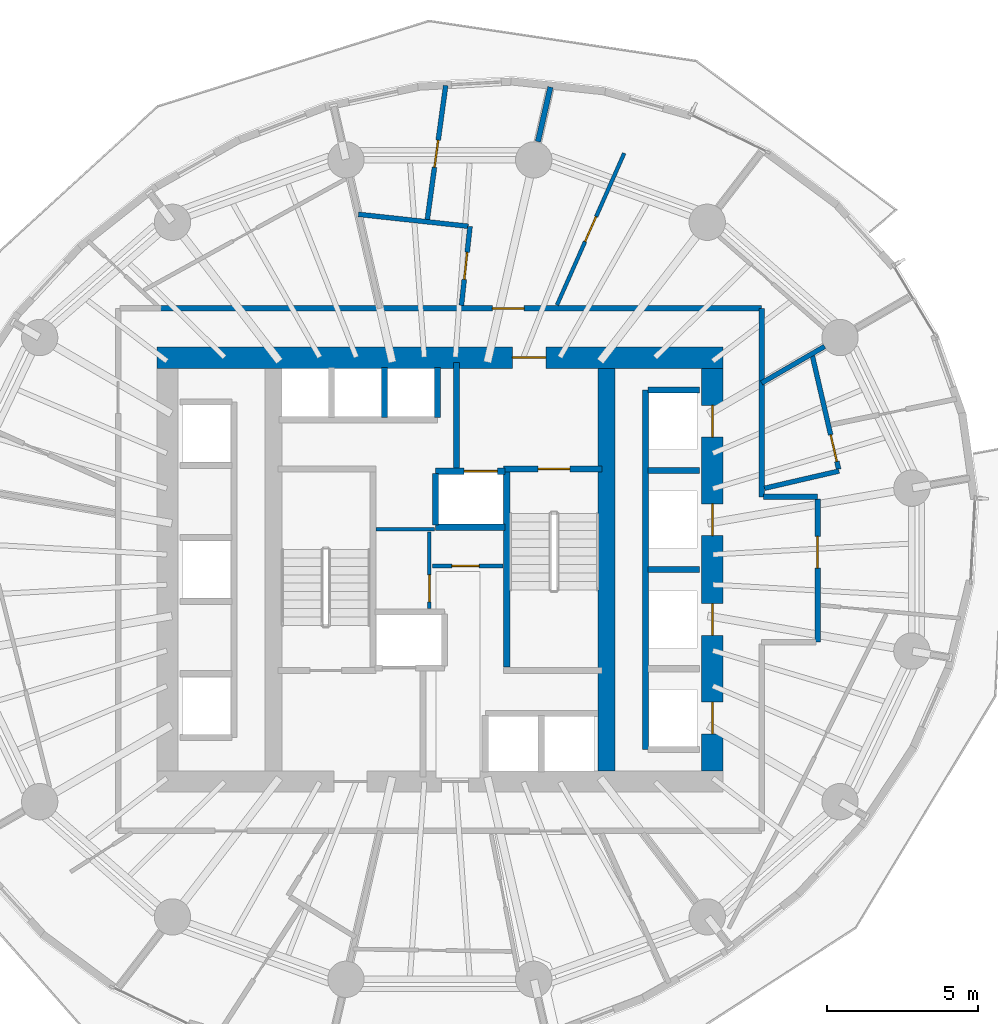
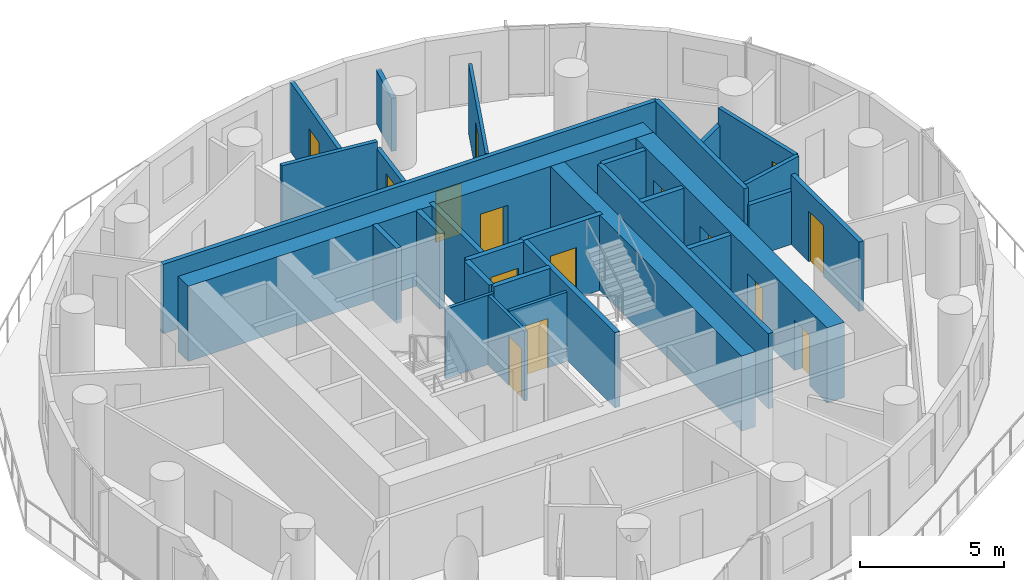
# One storey, part 9 of 15: 30 walls, 15 doors, 15 openings.
"""IFC4 building model written with IfcOpenShell, lengths in metres."""

from ifc_helpers import new_model, si_unit, direction, frame, frame_2d, origin, place, context, subcontext, project, spatial, rectangle, extrude, material, layer, layer_set, type_object, element, fill, save


model = new_model("IFC4")

# Units and contexts
model_context = context("Model", 3, precision=1e-05, world=origin(), true_north=direction((0.0, 1.0)))
body_context = subcontext(model_context, "Body", "Model", "MODEL_VIEW")
ifc_project = project(units=[si_unit("LENGTHUNIT", "METRE"), si_unit("AREAUNIT", "SQUARE_METRE"), si_unit("VOLUMEUNIT", "CUBIC_METRE"), si_unit("PLANEANGLEUNIT", "RADIAN"), si_unit("MASSUNIT", "GRAM", prefix="KILO")], contexts=[model_context])

# Site, building, storey
site_placement = place(None, origin())
site = spatial("IfcSite", under=ifc_project, at=site_placement, CompositionType="ELEMENT")
building_placement = place(site_placement, origin())
building = spatial("IfcBuilding", under=site, at=building_placement, Name="Veldorim Arch Residences", CompositionType="ELEMENT")
storey_placement = place(building_placement, frame((0.0, 0.0, 102.8798828125)))
storey = spatial("IfcBuildingStorey", under=building, at=storey_placement, Name="L30", CompositionType="ELEMENT", Elevation=102.8798828125)

# Wall, opening, door
ifc_material_1 = material(Name="Acoustic Gypsum Board", Category="gypsum")
ifc_layer_1 = layer(ifc_material_1, 0.125, Name="Acoustic Stud Room Partition Wall 125")
ifc_layer_set_1 = layer_set([ifc_layer_1], Name="Acoustic Gypsum Board")
wall_type_1 = type_object("IfcWallType", Name="Acoustic Stud Room Partition Wall 125", PredefinedType="PARTITIONING", material=ifc_layer_set_1)
wall_1_placement = place(storey_placement, frame((31.64990234375, 22.719970703125, 0.0), z_axis=(0.0, 0.0, 1.0), x_axis=(0.0, 1.0, 0.0)))
wall_1 = element("IfcWall", 1, at=wall_1_placement, inside=storey, type_object=wall_type_1, Name="L30 interior wall WL-CA-L30-1", PredefinedType="PARTITIONING", context=body_context, shape_type="SweptSolid", body=[
    extrude(rectangle(XDim=2.52001953125, YDim=0.125, at=frame_2d((1.260009765625, 0.0))), origin(), (0.0, 0.0, 1.0), 2.955078125),
])
opening_1_placement = place(wall_1_placement, frame((0.2099609375, 0.0, 0.0)))
opening_1 = element("IfcOpeningElement", 2, at=opening_1_placement, cuts=wall_1, Name="Opening DR-SVC", PredefinedType="OPENING", context=body_context, shape_type="SweptSolid", body=[
    extrude(rectangle(XDim=0.89990234375, YDim=2.10009765625, at=frame_2d((0.449951171875, 1.050048828125))), frame((0.0, 0.072509765625, 0.0), z_axis=(0.0, -1.0, 0.0), x_axis=(1.0, 0.0, 0.0)), (0.0, 0.0, 1.0), 0.14501953125),
])
ifc_material_2 = material(Name="Fire-Rated Steel", Category="steel")
door_type_1 = type_object("IfcDoorType", Name="Riser, Shelter & Plant Room Rated Steel Door 900x2100", OperationType="SINGLE_SWING_LEFT", PredefinedType="DOOR", material=ifc_material_2)
door_1_placement = place(opening_1_placement, origin())
door_1 = element("IfcDoor", 3, at=door_1_placement, inside=storey, type_object=door_type_1, Name="L30 interior door DR-L30-CA1", OperationType="SINGLE_SWING_LEFT", OverallHeight=2.10009765625, OverallWidth=0.89990234375, PredefinedType="DOOR", context=body_context, shape_type="SweptSolid", body=[
    extrude(rectangle(XDim=0.89990234375, YDim=2.10009765625, at=frame_2d((0.449951171875, 1.050048828125))), frame((0.0, 0.02490234375, 0.0), z_axis=(0.0, -1.0, 0.0), x_axis=(1.0, 0.0, 0.0)), (0.0, 0.0, 1.0), 0.050048828125),
])
fill(opening_1, door_1)

wall_2_placement = place(storey_placement, frame((31.760009765625, 24.1201171875, 0.0), z_axis=(0.0, 0.0, 1.0), x_axis=(1.0, 0.0, 0.0)))
wall_2 = element("IfcWall", 4, at=wall_2_placement, inside=storey, type_object=wall_type_1, Name="L30 interior wall WL-CA-L30-2", PredefinedType="PARTITIONING", context=body_context, shape_type="SweptSolid", body=[
    extrude(rectangle(XDim=2.320068359375, YDim=0.125, at=frame_2d((1.16015625, 0.0))), origin(), (0.0, 0.0, 1.0), 2.955078125),
])
opening_2_placement = place(wall_2_placement, frame((0.639892578125, 0.0, 0.0)))
opening_2 = element("IfcOpeningElement", 5, at=opening_2_placement, cuts=wall_2, Name="Opening DR-SVC", PredefinedType="OPENING", context=body_context, shape_type="SweptSolid", body=[
    extrude(rectangle(XDim=0.89990234375, YDim=2.10009765625, at=frame_2d((0.449951171875, 1.050048828125))), frame((0.0, 0.072509765625, 0.0), z_axis=(0.0, -1.0, 0.0), x_axis=(1.0, 0.0, 0.0)), (0.0, 0.0, 1.0), 0.14501953125),
])
door_2_placement = place(opening_2_placement, origin())
door_2 = element("IfcDoor", 6, at=door_2_placement, inside=storey, type_object=door_type_1, Name="L30 interior door DR-L30-CA2", OperationType="SINGLE_SWING_RIGHT", OverallHeight=2.10009765625, OverallWidth=0.89990234375, PredefinedType="DOOR", context=body_context, shape_type="SweptSolid", body=[
    extrude(rectangle(XDim=0.89990234375, YDim=2.10009765625, at=frame_2d((0.449951171875, 1.050048828125))), frame((0.0, 0.02490234375, 0.0), z_axis=(0.0, -1.0, 0.0), x_axis=(1.0, 0.0, 0.0)), (0.0, 0.0, 1.0), 0.050048828125),
])
fill(opening_2, door_2)

# Wall
wall_3_placement = place(storey_placement, frame((29.889892578125, 25.330078125, 0.0), z_axis=(0.0, 0.0, 1.0), x_axis=(1.0, 0.0, 0.0)))
element("IfcWall", 7, at=wall_3_placement, inside=storey, type_object=wall_type_1, Name="L30 interior wall WL-CA-L30-N", PredefinedType="PARTITIONING", context=body_context, shape_type="SweptSolid", body=[
    extrude(rectangle(XDim=1.940185546875, YDim=0.125, at=frame_2d((0.97021484375, 0.0))), origin(), (0.0, 0.0, 1.0), 2.955078125),
])

# Wall, opening, door
wall_4_placement = place(storey_placement, frame((38.091064453125, 37.756103515625, 0.0), z_axis=(0.0, 0.0, 1.0), x_axis=(-0.404874602407, -0.914372219791, 0.0)))
wall_4 = element("IfcWall", 8, at=wall_4_placement, inside=storey, type_object=wall_type_1, Name="L30 interior wall WL-RES-L30-023", PredefinedType="PARTITIONING", context=body_context, shape_type="SweptSolid", body=[
    extrude(rectangle(XDim=5.486083984375, YDim=0.125, at=frame_2d((2.7431640625, 0.0))), origin(), (0.0, 0.0, 1.0), 2.955078125),
])
opening_3_placement = place(wall_4_placement, frame((2.29296875, 0.0, 0.0)))
opening_3 = element("IfcOpeningElement", 9, at=opening_3_placement, cuts=wall_4, Name="Opening DR-INT", PredefinedType="OPENING", context=body_context, shape_type="SweptSolid", body=[
    extrude(rectangle(XDim=0.89990234375, YDim=2.10009765625, at=frame_2d((0.449951171875, 1.050048828125))), frame((0.0, 0.072509765625, 0.0), z_axis=(0.0, -1.0, 0.0), x_axis=(1.0, 0.0, 0.0)), (0.0, 0.0, 1.0), 0.14501953125),
])
ifc_material_3 = material(Name="Engineered Timber", Category="wood")
door_type_2 = type_object("IfcDoorType", Name="Apartment Internal Room Timber Door 900x2100", OperationType="SINGLE_SWING_LEFT", PredefinedType="DOOR", material=ifc_material_3)
door_3_placement = place(opening_3_placement, origin())
door_3 = element("IfcDoor", 10, at=door_3_placement, inside=storey, type_object=door_type_2, Name="L30 interior door DR-RES-L30-012", OperationType="SINGLE_SWING_RIGHT", OverallHeight=2.10009765625, OverallWidth=0.89990234375, PredefinedType="DOOR", context=body_context, shape_type="SweptSolid", body=[
    extrude(rectangle(XDim=0.89990234375, YDim=2.10009765625, at=frame_2d((0.449951171875, 1.050048828125))), frame((0.0, 0.02490234375, 0.0), z_axis=(0.0, -1.0, 0.0), x_axis=(1.0, 0.0, 0.0)), (0.0, 0.0, 1.0), 0.050048828125),
])
fill(opening_3, door_3)

# Walls
ifc_material_4 = material(Name="Lightweight Masonry Block & Gypsum", Category="masonry")
ifc_layer_2 = layer(ifc_material_4, 0.179931640625, Name="Compartment & Corridor Fire-Rated Party Wall 180")
ifc_layer_set_2 = layer_set([ifc_layer_2], Name="Lightweight Masonry Block & Gypsum")
wall_type_2 = type_object("IfcWallType", Name="Compartment & Corridor Fire-Rated Party Wall 180", PredefinedType="PARTITIONING", material=ifc_layer_set_2)
wall_5_placement = place(storey_placement, frame((35.240478515625, 38.13916015625, 0.0), z_axis=(0.0, 0.0, 1.0), x_axis=(0.2234127464, 0.974723932581, 0.0)))
element("IfcWall", 11, at=wall_5_placement, inside=storey, type_object=wall_type_2, Name="L30 interior wall WL-PIER-L30-04", PredefinedType="PARTITIONING", context=body_context, shape_type="SweptSolid", body=[
    extrude(rectangle(XDim=1.848876953125, YDim=0.179931640625, at=frame_2d((0.92431640625, 0.0))), origin(), (0.0, 0.0, 1.0), 2.2607421875),
])
wall_6_placement = place(storey_placement, frame((42.6298828125, 32.6298828125, 0.0), z_axis=(0.0, 0.0, 1.0), x_axis=(0.0, -1.0, 0.0)))
element("IfcWall", 12, at=wall_6_placement, inside=storey, type_object=wall_type_2, Name="L30 interior wall WL-RES-L30-002", PredefinedType="PARTITIONING", context=body_context, shape_type="SweptSolid", body=[
    extrude(rectangle(XDim=6.22998046875, YDim=0.179931640625, at=frame_2d((3.114990234375, 0.0))), origin(), (0.0, 0.0, 1.0), 2.955078125),
])
wall_7_placement = place(storey_placement, frame((42.68994140625, 26.39990234375, 0.0), z_axis=(0.0, 0.0, 1.0), x_axis=(1.0, 0.0, 0.0)))
element("IfcWall", 13, at=wall_7_placement, inside=storey, type_object=wall_type_2, Name="L30 interior wall WL-RES-L30-003", PredefinedType="PARTITIONING", context=body_context, shape_type="SweptSolid", body=[
    extrude(rectangle(XDim=1.7900390625, YDim=0.179931640625, at=frame_2d((0.89501953125, 0.0))), origin(), (0.0, 0.0, 1.0), 2.2607421875),
])

# Wall, opening, door
wall_8_placement = place(storey_placement, frame((44.47998046875, 26.340087890625, 0.0), z_axis=(0.0, 0.0, 1.0), x_axis=(0.0, -1.0, 0.0)))
wall_8 = element("IfcWall", 14, at=wall_8_placement, inside=storey, type_object=wall_type_2, Name="L30 interior wall WL-RES-L30-004", PredefinedType="PARTITIONING", context=body_context, shape_type="SweptSolid", body=[
    extrude(rectangle(XDim=4.739990234375, YDim=0.179931640625, at=frame_2d((2.3701171875, 0.0))), origin(), (0.0, 0.0, 1.0), 2.955078125),
])
opening_4_placement = place(wall_8_placement, frame((1.238525390625, 0.0, 0.0)))
opening_4 = element("IfcOpeningElement", 15, at=opening_4_placement, cuts=wall_8, Name="Opening DR-FLT", PredefinedType="OPENING", context=body_context, shape_type="SweptSolid", body=[
    extrude(rectangle(XDim=1.050048828125, YDim=2.14990234375, at=frame_2d((0.52490234375, 1.074951171875))), frame((0.0, 0.099853515625, 0.0), z_axis=(0.0, -1.0, 0.0), x_axis=(1.0, 0.0, 0.0)), (0.0, 0.0, 1.0), 0.199951171875),
])
ifc_material_5 = material(Name="Fire-Rated Timber", Category="wood")
door_type_3 = type_object("IfcDoorType", Name="Apartment Entrance Solid-Core Fire Door 1050x2150", OperationType="SINGLE_SWING_LEFT", PredefinedType="DOOR", material=ifc_material_5)
door_4_placement = place(opening_4_placement, origin())
door_4 = element("IfcDoor", 16, at=door_4_placement, inside=storey, type_object=door_type_3, Name="L30 interior door DR-RES-L30-005", OperationType="SINGLE_SWING_LEFT", OverallHeight=2.14990234375, OverallWidth=1.050048828125, PredefinedType="DOOR", context=body_context, shape_type="SweptSolid", body=[
    extrude(rectangle(XDim=1.050048828125, YDim=2.14990234375, at=frame_2d((0.52490234375, 1.074951171875))), frame((0.0, 0.02490234375, 0.0), z_axis=(0.0, -1.0, 0.0), x_axis=(1.0, 0.0, 0.0)), (0.0, 0.0, 1.0), 0.050048828125),
])
fill(opening_4, door_4)

wall_9_placement = place(storey_placement, frame((22.73388671875, 32.6298828125, 0.0), z_axis=(0.0, 0.0, 1.0), x_axis=(1.0, 0.0, 0.0)))
wall_9 = element("IfcWall", 17, at=wall_9_placement, inside=storey, type_object=wall_type_2, Name="L30 interior wall WL-RES-L30-007", PredefinedType="PARTITIONING", context=body_context, shape_type="SweptSolid", body=[
    extrude(rectangle(XDim=19.89599609375, YDim=0.179931640625, at=frame_2d((9.947998046875, 0.0))), origin(), (0.0, 0.0, 1.0), 2.955078125),
])
opening_5_placement = place(wall_9_placement, frame((11.004150390625, 0.0, 0.0)))
opening_5 = element("IfcOpeningElement", 18, at=opening_5_placement, cuts=wall_9, Name="Opening DR-FLT", PredefinedType="OPENING", context=body_context, shape_type="SweptSolid", body=[
    extrude(rectangle(XDim=1.050048828125, YDim=2.14990234375, at=frame_2d((0.52490234375, 1.074951171875))), frame((0.0, 0.099853515625, 0.0), z_axis=(0.0, -1.0, 0.0), x_axis=(1.0, 0.0, 0.0)), (0.0, 0.0, 1.0), 0.199951171875),
])
door_5_placement = place(opening_5_placement, origin())
door_5 = element("IfcDoor", 19, at=door_5_placement, inside=storey, type_object=door_type_3, Name="L30 interior door DR-RES-L30-010", OperationType="SINGLE_SWING_RIGHT", OverallHeight=2.14990234375, OverallWidth=1.050048828125, PredefinedType="DOOR", context=body_context, shape_type="SweptSolid", body=[
    extrude(rectangle(XDim=1.050048828125, YDim=2.14990234375, at=frame_2d((0.52490234375, 1.074951171875))), frame((0.0, 0.02490234375, 0.0), z_axis=(0.0, -1.0, 0.0), x_axis=(1.0, 0.0, 0.0)), (0.0, 0.0, 1.0), 0.050048828125),
])
fill(opening_5, door_5)

# Wall
ifc_material_6 = material(Name="Concrete C50/60", Category="concrete")
ifc_layer_3 = layer(ifc_material_6, 0.199951171875, Name="Core Stair & Lift Shaft Enclosure Wall 200")
ifc_layer_set_3 = layer_set([ifc_layer_3], Name="Concrete C50/60")
wall_type_3 = type_object("IfcWallType", Name="Core Stair & Lift Shaft Enclosure Wall 200", PredefinedType="SHEAR", material=ifc_layer_set_3)
wall_10_placement = place(storey_placement, frame((34.2099609375, 20.780029296875, 0.0), z_axis=(0.0, 0.0, 1.0), x_axis=(0.0, 1.0, 0.0)))
element("IfcWall", 20, at=wall_10_placement, inside=storey, type_object=wall_type_3, Name="L30 shaft wall WL-SHF-L30-ST2-W", PredefinedType="SHEAR", context=body_context, shape_type="SweptSolid", body=[
    extrude(rectangle(XDim=6.43994140625, YDim=0.199951171875, at=frame_2d((3.219970703125, 0.0))), origin(), (0.0, 0.0, 1.0), 3.2001953125),
])

# Wall, opening, door
wall_11_placement = place(storey_placement, frame((34.110107421875, 27.330078125, 0.0), z_axis=(0.0, 0.0, 1.0), x_axis=(1.0, 0.0, 0.0)))
wall_11 = element("IfcWall", 21, at=wall_11_placement, inside=storey, type_object=wall_type_3, Name="L30 shaft wall WL-SHF-L30-ST2-N", PredefinedType="SHEAR", context=body_context, shape_type="SweptSolid", body=[
    extrude(rectangle(XDim=3.239990234375, YDim=0.199951171875, at=frame_2d((1.6201171875, 0.0))), origin(), (0.0, 0.0, 1.0), 3.2001953125),
])
opening_6_placement = place(wall_11_placement, frame((1.135009765625, 0.0, 0.0)))
opening_6 = element("IfcOpeningElement", 22, at=opening_6_placement, cuts=wall_11, Name="Opening DR-ST", PredefinedType="OPENING", context=body_context, shape_type="SweptSolid", body=[
    extrude(rectangle(XDim=1.050048828125, YDim=2.14990234375, at=frame_2d((0.52490234375, 1.074951171875))), frame((0.0, 0.10986328125, 0.0), z_axis=(0.0, -1.0, 0.0), x_axis=(1.0, 0.0, 0.0)), (0.0, 0.0, 1.0), 0.219970703125),
])
ifc_material_7 = material(Name="Fire-Rated Steel", Category="steel")
door_type_4 = type_object("IfcDoorType", Name="Exit Staircase Self-Closing Fire Door 1050x2150", OperationType="SINGLE_SWING_LEFT", PredefinedType="DOOR", material=ifc_material_7)
door_6_placement = place(opening_6_placement, origin())
door_6 = element("IfcDoor", 23, at=door_6_placement, inside=storey, type_object=door_type_4, Name="L30 interior door DR-L30-ST2", OperationType="SINGLE_SWING_RIGHT", OverallHeight=2.14990234375, OverallWidth=1.050048828125, PredefinedType="DOOR", context=body_context, shape_type="SweptSolid", body=[
    extrude(rectangle(XDim=1.050048828125, YDim=2.14990234375, at=frame_2d((0.52490234375, 1.074951171875))), frame((0.0, 0.02490234375, 0.0), z_axis=(0.0, -1.0, 0.0), x_axis=(1.0, 0.0, 0.0)), (0.0, 0.0, 1.0), 0.050048828125),
])
fill(opening_6, door_6)

# Wall
wall_12_placement = place(storey_placement, frame((32.550048828125, 27.35009765625, 0.0), z_axis=(0.0, 0.0, 1.0), x_axis=(0.0, 1.0, 0.0)))
element("IfcWall", 24, at=wall_12_placement, inside=storey, type_object=wall_type_3, Name="L30 shaft wall WL-FFL2-L30-W", PredefinedType="SHEAR", context=body_context, shape_type="SweptSolid", body=[
    extrude(rectangle(XDim=3.5, YDim=0.199951171875, at=frame_2d((1.75, 0.0))), origin(), (0.0, 0.0, 1.0), 3.2001953125),
])

# Wall, opening, door
wall_13_placement = place(storey_placement, frame((31.85009765625, 27.25, 0.0), z_axis=(0.0, 0.0, 1.0), x_axis=(1.0, 0.0, 0.0)))
wall_13 = element("IfcWall", 25, at=wall_13_placement, inside=storey, type_object=wall_type_3, Name="L30 shaft wall WL-FL02-L30-N", PredefinedType="SHEAR", context=body_context, shape_type="SweptSolid", body=[
    extrude(rectangle(XDim=2.2998046875, YDim=0.199951171875, at=frame_2d((1.14990234375, 0.0))), origin(), (0.0, 0.0, 1.0), 3.2001953125),
])
opening_7_placement = place(wall_13_placement, frame((0.949951171875, 0.0, 0.0)))
opening_7 = element("IfcOpeningElement", 26, at=opening_7_placement, cuts=wall_13, Name="Opening LD-FF", PredefinedType="OPENING", context=body_context, shape_type="SweptSolid", body=[
    extrude(rectangle(XDim=1.10009765625, YDim=2.14990234375, at=frame_2d((0.550048828125, 1.074951171875))), frame((0.0, 0.10986328125, 0.0), z_axis=(0.0, -1.0, 0.0), x_axis=(1.0, 0.0, 0.0)), (0.0, 0.0, 1.0), 0.219970703125),
])
ifc_material_8 = material(Name="Stainless Steel", Category="steel")
door_type_5 = type_object("IfcDoorType", Name="Firefighting Lift Bi-Parting Sliding Landing Door 1100x2150", OperationType="DOUBLE_DOOR_SLIDING", PredefinedType="DOOR", material=ifc_material_8)
door_7_placement = place(opening_7_placement, origin())
door_7 = element("IfcDoor", 27, at=door_7_placement, inside=storey, type_object=door_type_5, Name="L30 lift landing door LD-L30-FL02", OperationType="DOUBLE_DOOR_SLIDING", OverallHeight=2.14990234375, OverallWidth=1.10009765625, PredefinedType="DOOR", context=body_context, shape_type="SweptSolid", body=[
    extrude(rectangle(XDim=1.10009765625, YDim=2.14990234375, at=frame_2d((0.550048828125, 1.074951171875))), frame((0.0, 0.02490234375, 0.0), z_axis=(0.0, -1.0, 0.0), x_axis=(1.0, 0.0, 0.0)), (0.0, 0.0, 1.0), 0.050048828125),
])
fill(opening_7, door_7)

# Walls
wall_14_placement = place(storey_placement, frame((31.85009765625, 25.39990234375, 0.0), z_axis=(0.0, 0.0, 1.0), x_axis=(1.0, 0.0, 0.0)))
element("IfcWall", 28, at=wall_14_placement, inside=storey, type_object=wall_type_3, Name="L30 shaft wall WL-FL02-L30-S", PredefinedType="SHEAR", context=body_context, shape_type="SweptSolid", body=[
    extrude(rectangle(XDim=2.2998046875, YDim=0.199951171875, at=frame_2d((1.14990234375, 0.0))), origin(), (0.0, 0.0, 1.0), 3.2001953125),
])
wall_15_placement = place(storey_placement, frame((31.85009765625, 25.469970703125, 0.0), z_axis=(0.0, 0.0, 1.0), x_axis=(0.0, 1.0, 0.0)))
element("IfcWall", 29, at=wall_15_placement, inside=storey, type_object=wall_type_3, Name="L30 shaft wall WL-FL02-L30-W", PredefinedType="SHEAR", context=body_context, shape_type="SweptSolid", body=[
    extrude(rectangle(XDim=1.7099609375, YDim=0.199951171875, at=frame_2d((0.85498046875, 0.0))), origin(), (0.0, 0.0, 1.0), 3.2001953125),
])
wall_16_placement = place(storey_placement, frame((38.800048828125, 18.06005859375, 0.0), z_axis=(0.0, 0.0, 1.0), x_axis=(0.0, 1.0, 0.0)))
element("IfcWall", 30, at=wall_16_placement, inside=storey, type_object=wall_type_3, Name="L30 shaft wall WL-B1-L30-W", PredefinedType="SHEAR", context=body_context, shape_type="SweptSolid", body=[
    extrude(rectangle(XDim=11.8798828125, YDim=0.199951171875, at=frame_2d((5.93994140625, 0.0))), origin(), (0.0, 0.0, 1.0), 3.2001953125),
])
for number, where, z_axis, x_axis, name in (
    (31, (38.8701171875, 29.93994140625, 0.0), (0.0, 0.0, 1.0), (1.0, 0.0, 0.0), "L30 shaft wall WL-B1-L30-N"),
    (32, (38.8701171875, 24.0, 0.0), (0.0, 0.0, 1.0), (1.0, 0.0, 0.0), "L30 shaft wall WL-B1-L30-D2"),
    (33, (38.8701171875, 27.27490234375, 0.0), (0.0, 0.0, 1.0), (1.0, 0.0, 0.0), "L30 shaft wall WL-B1-L30-D3"),
):
    element("IfcWall", number, at=place(storey_placement, frame(where, z_axis=z_axis, x_axis=x_axis)), inside=storey, type_object=wall_type_3, Name=name, PredefinedType="SHEAR", context=body_context, shape_type="SweptSolid", body=[
        extrude(rectangle(XDim=1.7099609375, YDim=0.199951171875, at=frame_2d((0.85498046875, 0.0))), origin(), (0.0, 0.0, 1.0), 3.2001953125),
    ])
for number, where, z_axis, x_axis, name in (
    (34, (31.919921875, 29.02001953125, 0.0), (0.0, 0.0, 1.0), (0.0, 1.0, 0.0), "L30 shaft wall WL-B3-L30-E"),
    (35, (30.175048828125, 29.02001953125, 0.0), (0.0, 0.0, 1.0), (0.0, 1.0, 0.0), "L30 shaft wall WL-B3-L30-D2"),
):
    element("IfcWall", number, at=place(storey_placement, frame(where, z_axis=z_axis, x_axis=x_axis)), inside=storey, type_object=wall_type_3, Name=name, PredefinedType="SHEAR", context=body_context, shape_type="SweptSolid", body=[
        extrude(rectangle(XDim=1.659912109375, YDim=0.199951171875, at=frame_2d((0.830078125, 0.0))), origin(), (0.0, 0.0, 1.0), 3.2001953125),
    ])
ifc_material_9 = material(Name="Concrete C60/75", Category="concrete")
ifc_layer_4 = layer(ifc_material_9, 0.56005859375, Name="Internal Core Shear Web Wall 560")
ifc_layer_set_4 = layer_set([ifc_layer_4], Name="Concrete C60/75")
wall_type_4 = type_object("IfcWallType", Name="Internal Core Shear Web Wall 560", PredefinedType="SHEAR", material=ifc_layer_set_4)
wall_17_placement = place(storey_placement, frame((37.5, 17.35009765625, 0.0), z_axis=(0.0, 0.0, 1.0), x_axis=(0.0, 1.0, 0.0)))
element("IfcWall", 36, at=wall_17_placement, inside=storey, type_object=wall_type_4, Name="L30 core east internal shear web", PredefinedType="SHEAR", context=body_context, shape_type="SweptSolid", body=[
    extrude(rectangle(XDim=13.2998046875, YDim=0.56005859375, at=frame_2d((6.64990234375, 0.0))), origin(), (0.0, 0.0, 1.0), 3.2001953125),
])

# Wall, opening, door
ifc_material_10 = material(Name="Concrete C60/75", Category="concrete")
ifc_layer_5 = layer(ifc_material_10, 0.699951171875, Name="Mid-Lower Central Core Shear Wall 700")
ifc_layer_set_5 = layer_set([ifc_layer_5], Name="Concrete C60/75")
wall_type_5 = type_object("IfcWallType", Name="Mid-Lower Central Core Shear Wall 700", PredefinedType="SHEAR", material=ifc_layer_set_5)
wall_18_placement = place(storey_placement, frame((22.64990234375, 31.0, 0.0), z_axis=(0.0, 0.0, 1.0), x_axis=(1.0, 0.0, 0.0)))
wall_18 = element("IfcWall", 37, at=wall_18_placement, inside=storey, type_object=wall_type_5, Name="L30 central core north shear wall", PredefinedType="SHEAR", context=body_context, shape_type="SweptSolid", body=[
    extrude(rectangle(XDim=18.7001953125, YDim=0.699951171875, at=frame_2d((9.35009765625, 0.0))), origin(), (0.0, 0.0, 1.0), 3.2001953125),
])
opening_8_placement = place(wall_18_placement, frame((11.75, 0.0, 0.0)))
opening_8 = element("IfcOpeningElement", 38, at=opening_8_placement, cuts=wall_18, Name="Opening DR-FFL", PredefinedType="OPENING", context=body_context, shape_type="SweptSolid", body=[
    extrude(rectangle(XDim=1.10009765625, YDim=2.14990234375, at=frame_2d((0.550048828125, 1.074951171875))), frame((0.0, 0.35986328125, 0.0), z_axis=(0.0, -1.0, 0.0), x_axis=(1.0, 0.0, 0.0)), (0.0, 0.0, 1.0), 0.719970703125),
])
ifc_material_11 = material(Name="Fire-Rated Steel & Vision Glass", Category="steel")
door_type_6 = type_object("IfcDoorType", Name="Firefighting Lobby Smoke-Stop Fire Door 1100x2150", OperationType="SINGLE_SWING_LEFT", PredefinedType="DOOR", material=ifc_material_11)
door_8_placement = place(opening_8_placement, origin())
door_8 = element("IfcDoor", 39, at=door_8_placement, inside=storey, type_object=door_type_6, Name="L30 interior door DR-L30-FFL2", OperationType="SINGLE_SWING_LEFT", OverallHeight=2.14990234375, OverallWidth=1.10009765625, PredefinedType="DOOR", context=body_context, shape_type="SweptSolid", body=[
    extrude(rectangle(XDim=1.10009765625, YDim=2.14990234375, at=frame_2d((0.550048828125, 1.074951171875))), frame((0.0, 0.02490234375, 0.0), z_axis=(0.0, -1.0, 0.0), x_axis=(1.0, 0.0, 0.0)), (0.0, 0.0, 1.0), 0.050048828125),
])
fill(opening_8, door_8)

# Wall, openings, doors
wall_19_placement = place(storey_placement, frame((41.0, 17.35009765625, 0.0), z_axis=(0.0, 0.0, 1.0), x_axis=(0.0, 1.0, 0.0)))
wall_19 = element("IfcWall", 40, at=wall_19_placement, inside=storey, type_object=wall_type_5, Name="L30 central core east shear wall", PredefinedType="SHEAR", context=body_context, shape_type="SweptSolid", body=[
    extrude(rectangle(XDim=13.2998046875, YDim=0.699951171875, at=frame_2d((6.64990234375, 0.0))), origin(), (0.0, 0.0, 1.0), 3.2001953125),
])
opening_9_placement = place(wall_19_placement, frame((1.22509765625, 0.0, 0.0)))
opening_9 = element("IfcOpeningElement", 41, at=opening_9_placement, cuts=wall_19, Name="Opening LD-PS", PredefinedType="OPENING", context=body_context, shape_type="SweptSolid", body=[
    extrude(rectangle(XDim=1.050048828125, YDim=2.14990234375, at=frame_2d((0.52490234375, 1.074951171875))), frame((0.0, 0.35986328125, 0.0), z_axis=(0.0, -1.0, 0.0), x_axis=(1.0, 0.0, 0.0)), (0.0, 0.0, 1.0), 0.719970703125),
])
opening_10_placement = place(wall_19_placement, frame((4.47509765625, 0.0, 0.0)))
opening_10 = element("IfcOpeningElement", 42, at=opening_10_placement, cuts=wall_19, Name="Opening LD-PS", PredefinedType="OPENING", context=body_context, shape_type="SweptSolid", body=[
    extrude(rectangle(XDim=1.050048828125, YDim=2.14990234375, at=frame_2d((0.52490234375, 1.074951171875))), frame((0.0, 0.35986328125, 0.0), z_axis=(0.0, -1.0, 0.0), x_axis=(1.0, 0.0, 0.0)), (0.0, 0.0, 1.0), 0.719970703125),
])
opening_11_placement = place(wall_19_placement, frame((7.77490234375, 0.0, 0.0)))
opening_11 = element("IfcOpeningElement", 43, at=opening_11_placement, cuts=wall_19, Name="Opening LD-PS", PredefinedType="OPENING", context=body_context, shape_type="SweptSolid", body=[
    extrude(rectangle(XDim=1.050048828125, YDim=2.14990234375, at=frame_2d((0.52490234375, 1.074951171875))), frame((0.0, 0.35986328125, 0.0), z_axis=(0.0, -1.0, 0.0), x_axis=(1.0, 0.0, 0.0)), (0.0, 0.0, 1.0), 0.719970703125),
])
opening_12_placement = place(wall_19_placement, frame((11.02490234375, 0.0, 0.0)))
opening_12 = element("IfcOpeningElement", 44, at=opening_12_placement, cuts=wall_19, Name="Opening LD-PS", PredefinedType="OPENING", context=body_context, shape_type="SweptSolid", body=[
    extrude(rectangle(XDim=1.050048828125, YDim=2.14990234375, at=frame_2d((0.52490234375, 1.074951171875))), frame((0.0, 0.35986328125, 0.0), z_axis=(0.0, -1.0, 0.0), x_axis=(1.0, 0.0, 0.0)), (0.0, 0.0, 1.0), 0.719970703125),
])
ifc_material_12 = material(Name="Stainless Steel", Category="steel")
door_type_7 = type_object("IfcDoorType", Name="Passenger Lift Bi-Parting Sliding Landing Door 1050x2150", OperationType="DOUBLE_DOOR_SLIDING", PredefinedType="DOOR", material=ifc_material_12)
door_9_placement = place(opening_9_placement, origin())
door_9 = element("IfcDoor", 45, at=door_9_placement, inside=storey, type_object=door_type_7, Name="L30 lift landing door LD-L30-PL-01", OperationType="DOUBLE_DOOR_SLIDING", OverallHeight=2.14990234375, OverallWidth=1.050048828125, PredefinedType="DOOR", context=body_context, shape_type="SweptSolid", body=[
    extrude(rectangle(XDim=1.050048828125, YDim=2.14990234375, at=frame_2d((0.52490234375, 1.074951171875))), frame((0.0, 0.02490234375, 0.0), z_axis=(0.0, -1.0, 0.0), x_axis=(1.0, 0.0, 0.0)), (0.0, 0.0, 1.0), 0.050048828125),
])
fill(opening_9, door_9)
door_10_placement = place(opening_10_placement, origin())
door_10 = element("IfcDoor", 46, at=door_10_placement, inside=storey, type_object=door_type_7, Name="L30 lift landing door LD-L30-PL-02", OperationType="DOUBLE_DOOR_SLIDING", OverallHeight=2.14990234375, OverallWidth=1.050048828125, PredefinedType="DOOR", context=body_context, shape_type="SweptSolid", body=[
    extrude(rectangle(XDim=1.050048828125, YDim=2.14990234375, at=frame_2d((0.52490234375, 1.074951171875))), frame((0.0, 0.02490234375, 0.0), z_axis=(0.0, -1.0, 0.0), x_axis=(1.0, 0.0, 0.0)), (0.0, 0.0, 1.0), 0.050048828125),
])
fill(opening_10, door_10)
door_11_placement = place(opening_11_placement, origin())
door_11 = element("IfcDoor", 47, at=door_11_placement, inside=storey, type_object=door_type_7, Name="L30 lift landing door LD-L30-PL-03", OperationType="DOUBLE_DOOR_SLIDING", OverallHeight=2.14990234375, OverallWidth=1.050048828125, PredefinedType="DOOR", context=body_context, shape_type="SweptSolid", body=[
    extrude(rectangle(XDim=1.050048828125, YDim=2.14990234375, at=frame_2d((0.52490234375, 1.074951171875))), frame((0.0, 0.02490234375, 0.0), z_axis=(0.0, -1.0, 0.0), x_axis=(1.0, 0.0, 0.0)), (0.0, 0.0, 1.0), 0.050048828125),
])
fill(opening_11, door_11)
door_12_placement = place(opening_12_placement, origin())
door_12 = element("IfcDoor", 48, at=door_12_placement, inside=storey, type_object=door_type_7, Name="L30 lift landing door LD-L30-PL-04", OperationType="DOUBLE_DOOR_SLIDING", OverallHeight=2.14990234375, OverallWidth=1.050048828125, PredefinedType="DOOR", context=body_context, shape_type="SweptSolid", body=[
    extrude(rectangle(XDim=1.050048828125, YDim=2.14990234375, at=frame_2d((0.52490234375, 1.074951171875))), frame((0.0, 0.02490234375, 0.0), z_axis=(0.0, -1.0, 0.0), x_axis=(1.0, 0.0, 0.0)), (0.0, 0.0, 1.0), 0.050048828125),
])
fill(opening_12, door_12)

# Wall
ifc_material_13 = material(Name="Moisture-Resistant Gypsum & Stud", Category="gypsum")
ifc_layer_6 = layer(ifc_material_13, 0.159912109375, Name="Wet-Area Moisture-Resistant Plumbing Wall 160")
ifc_layer_set_6 = layer_set([ifc_layer_6], Name="Moisture-Resistant Gypsum & Stud")
wall_type_6 = type_object("IfcWallType", Name="Wet-Area Moisture-Resistant Plumbing Wall 160", PredefinedType="PLUMBINGWALL", material=ifc_layer_set_6)
wall_20_placement = place(storey_placement, frame((42.727294921875, 26.6875, 0.0), z_axis=(0.0, 0.0, 1.0), x_axis=(0.974262333638, 0.225417180479, 0.0)))
element("IfcWall", 49, at=wall_20_placement, inside=storey, type_object=wall_type_6, Name="L30 interior wall WL-RES-L30-018", PredefinedType="PLUMBINGWALL", context=body_context, shape_type="SweptSolid", body=[
    extrude(rectangle(XDim=2.525634765625, YDim=0.159912109375, at=frame_2d((1.2626953125, 0.0))), origin(), (0.0, 0.0, 1.0), 2.955078125),
])

# Wall, opening, door
wall_21_placement = place(storey_placement, frame((45.17431640625, 27.3154296875, 0.0), z_axis=(0.0, 0.0, 1.0), x_axis=(-0.225561032487, 0.974229039099, 0.0)))
wall_21 = element("IfcWall", 50, at=wall_21_placement, inside=storey, type_object=wall_type_6, Name="L30 interior wall WL-RES-L30-019", PredefinedType="PLUMBINGWALL", context=body_context, shape_type="SweptSolid", body=[
    extrude(rectangle(XDim=3.913818359375, YDim=0.159912109375, at=frame_2d((1.95703125, 0.0))), origin(), (0.0, 0.0, 1.0), 2.955078125),
])
opening_13_placement = place(wall_21_placement, frame((0.266357421875, 0.0, 0.0)))
opening_13 = element("IfcOpeningElement", 51, at=opening_13_placement, cuts=wall_21, Name="Opening DR-INT", PredefinedType="OPENING", context=body_context, shape_type="SweptSolid", body=[
    extrude(rectangle(XDim=0.89990234375, YDim=2.10009765625, at=frame_2d((0.449951171875, 1.050048828125))), frame((0.0, 0.08984375, 0.0), z_axis=(0.0, -1.0, 0.0), x_axis=(1.0, 0.0, 0.0)), (0.0, 0.0, 1.0), 0.179931640625),
])
door_13_placement = place(opening_13_placement, origin())
door_13 = element("IfcDoor", 52, at=door_13_placement, inside=storey, type_object=door_type_2, Name="L30 interior door DR-RES-L30-009", OperationType="SINGLE_SWING_LEFT", OverallHeight=2.10009765625, OverallWidth=0.89990234375, PredefinedType="DOOR", context=body_context, shape_type="SweptSolid", body=[
    extrude(rectangle(XDim=0.89990234375, YDim=2.10009765625, at=frame_2d((0.449951171875, 1.050048828125))), frame((0.0, 0.02490234375, 0.0), z_axis=(0.0, -1.0, 0.0), x_axis=(1.0, 0.0, 0.0)), (0.0, 0.0, 1.0), 0.050048828125),
])
fill(opening_13, door_13)

# Wall
wall_22_placement = place(storey_placement, frame((42.6298828125, 30.164794921875, 0.0), z_axis=(0.0, 0.0, 1.0), x_axis=(0.865092804374, 0.501611841786, 0.0)))
element("IfcWall", 53, at=wall_22_placement, inside=storey, type_object=wall_type_6, Name="L30 interior wall WL-RES-L30-020", PredefinedType="PLUMBINGWALL", context=body_context, shape_type="SweptSolid", body=[
    extrude(rectangle(XDim=2.4072265625, YDim=0.159912109375, at=frame_2d((1.20361328125, 0.0))), origin(), (0.0, 0.0, 1.0), 2.2607421875),
])

# Wall, opening, door
wall_23_placement = place(storey_placement, frame((31.57568359375, 35.490478515625, 0.0), z_axis=(0.0, 0.0, 1.0), x_axis=(0.136019307251, 0.990706186543, 0.0)))
wall_23 = element("IfcWall", 54, at=wall_23_placement, inside=storey, type_object=wall_type_6, Name="L30 interior wall WL-RES-L30-022", PredefinedType="PLUMBINGWALL", context=body_context, shape_type="SweptSolid", body=[
    extrude(rectangle(XDim=4.544677734375, YDim=0.159912109375, at=frame_2d((2.2724609375, 0.0))), origin(), (0.0, 0.0, 1.0), 2.955078125),
])
opening_14_placement = place(wall_23_placement, frame((1.822265625, 0.0, 0.0)))
opening_14 = element("IfcOpeningElement", 55, at=opening_14_placement, cuts=wall_23, Name="Opening DR-WC", PredefinedType="OPENING", context=body_context, shape_type="SweptSolid", body=[
    extrude(rectangle(XDim=0.89990234375, YDim=2.10009765625, at=frame_2d((0.449951171875, 1.050048828125))), frame((0.0, 0.08984375, 0.0), z_axis=(0.0, -1.0, 0.0), x_axis=(1.0, 0.0, 0.0)), (0.0, 0.0, 1.0), 0.179931640625),
])
ifc_material_14 = material(Name="Laminate Timber", Category="wood")
door_type_8 = type_object("IfcDoorType", Name="Bathroom & Accessible WC Moisture-Sealed Door 900x2100", OperationType="SINGLE_SWING_LEFT", PredefinedType="DOOR", material=ifc_material_14)
door_14_placement = place(opening_14_placement, origin())
door_14 = element("IfcDoor", 56, at=door_14_placement, inside=storey, type_object=door_type_8, Name="L30 interior door DR-RES-L30-011", OperationType="SINGLE_SWING_LEFT", OverallHeight=2.10009765625, OverallWidth=0.89990234375, PredefinedType="DOOR", context=body_context, shape_type="SweptSolid", body=[
    extrude(rectangle(XDim=0.89990234375, YDim=2.10009765625, at=frame_2d((0.449951171875, 1.050048828125))), frame((0.0, 0.02490234375, 0.0), z_axis=(0.0, -1.0, 0.0), x_axis=(1.0, 0.0, 0.0)), (0.0, 0.0, 1.0), 0.050048828125),
])
fill(opening_14, door_14)

wall_24_placement = place(storey_placement, frame((32.71337890625, 32.7294921875, 0.0), z_axis=(0.0, 0.0, 1.0), x_axis=(0.108009167528, 0.994149898018, 0.0)))
wall_24 = element("IfcWall", 57, at=wall_24_placement, inside=storey, type_object=wall_type_6, Name="L30 interior wall WL-RES-L30-024", PredefinedType="PLUMBINGWALL", context=body_context, shape_type="SweptSolid", body=[
    extrude(rectangle(XDim=2.6220703125, YDim=0.159912109375, at=frame_2d((1.31103515625, 0.0))), origin(), (0.0, 0.0, 1.0), 2.6416015625),
])
opening_15_placement = place(wall_24_placement, frame((0.861083984375, 0.0, 0.0)))
opening_15 = element("IfcOpeningElement", 58, at=opening_15_placement, cuts=wall_24, Name="Opening DR-INT", PredefinedType="OPENING", context=body_context, shape_type="SweptSolid", body=[
    extrude(rectangle(XDim=0.89990234375, YDim=2.10009765625, at=frame_2d((0.449951171875, 1.050048828125))), frame((0.0, 0.08984375, 0.0), z_axis=(0.0, -1.0, 0.0), x_axis=(1.0, 0.0, 0.0)), (0.0, 0.0, 1.0), 0.179931640625),
])
door_15_placement = place(opening_15_placement, origin())
door_15 = element("IfcDoor", 59, at=door_15_placement, inside=storey, type_object=door_type_2, Name="L30 interior door DR-RES-L30-014", OperationType="SINGLE_SWING_RIGHT", OverallHeight=2.10009765625, OverallWidth=0.89990234375, PredefinedType="DOOR", context=body_context, shape_type="SweptSolid", body=[
    extrude(rectangle(XDim=0.89990234375, YDim=2.10009765625, at=frame_2d((0.449951171875, 1.050048828125))), frame((0.0, 0.02490234375, 0.0), z_axis=(0.0, -1.0, 0.0), x_axis=(1.0, 0.0, 0.0)), (0.0, 0.0, 1.0), 0.050048828125),
])
fill(opening_15, door_15)

# Wall
wall_25_placement = place(storey_placement, frame((32.93701171875, 35.3427734375, 0.0), z_axis=(0.0, 0.0, 1.0), x_axis=(-0.994156491352, 0.107948463181, 0.0)))
element("IfcWall", 60, at=wall_25_placement, inside=storey, type_object=wall_type_6, Name="L30 interior wall WL-RES-L30-025", PredefinedType="PLUMBINGWALL", context=body_context, shape_type="SweptSolid", body=[
    extrude(rectangle(XDim=3.64794921875, YDim=0.159912109375, at=frame_2d((1.823974609375, 0.0))), origin(), (0.0, 0.0, 1.0), 2.955078125),
])

save(model, "model.ifc")
